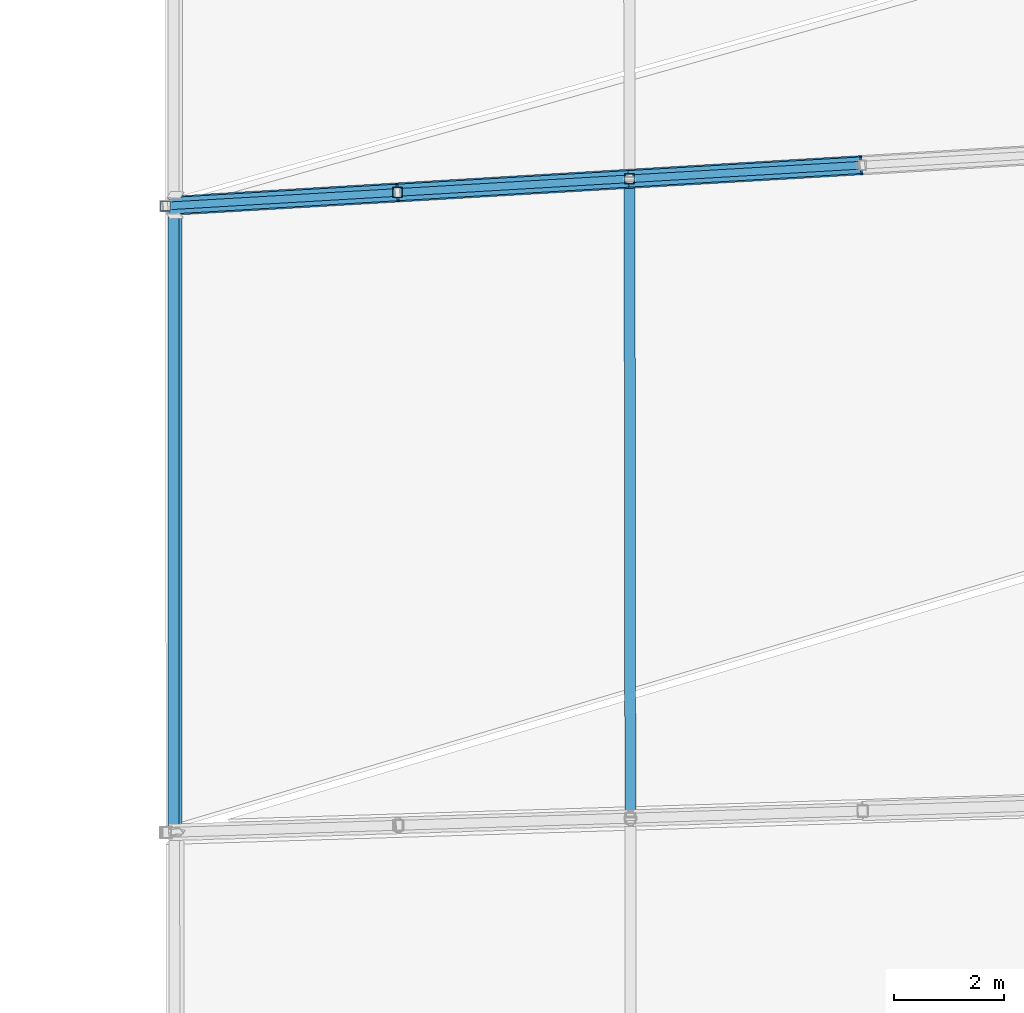
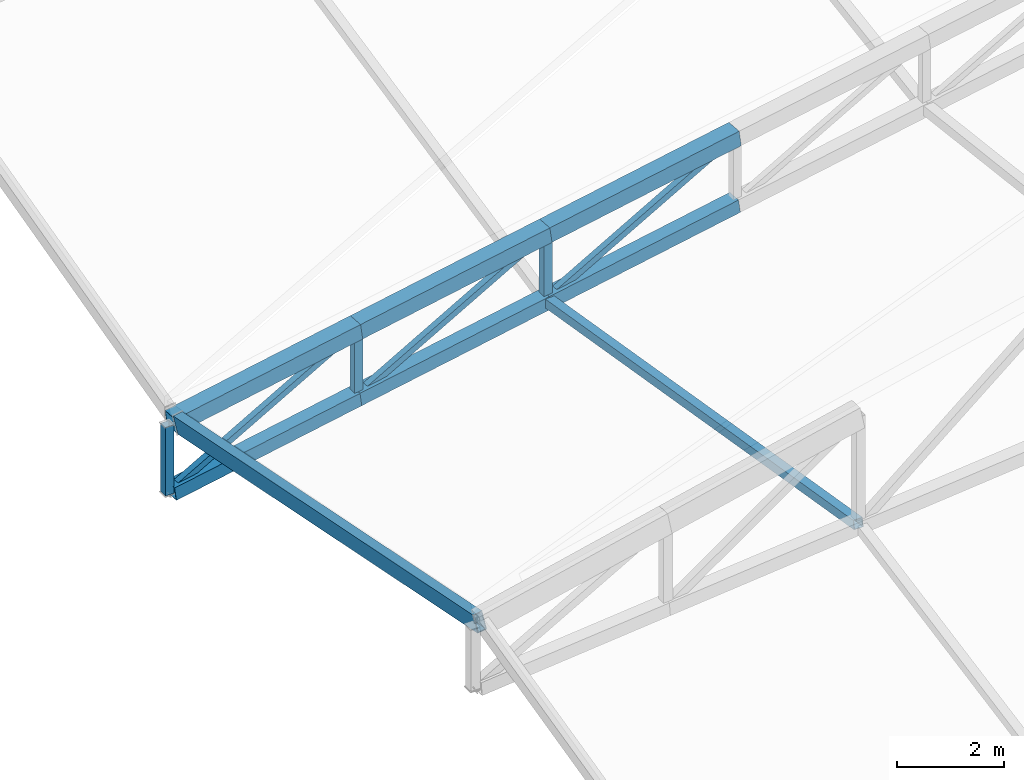
# One storey, part 174 of 344: 13 members, 1 beam.
"""IFC4 building model written with IfcOpenShell, lengths in metres."""

from ifc_helpers import new_model, si_unit, direction, frame, origin, origin_2d, place, context, subcontext, project, spatial, hollow_rectangle, extrude, material, material_profile, profile_set, type_object, element, save


model = new_model("IFC4")

# Units and contexts
model_context = context("Model", 3, precision=1e-05, world=origin(), true_north=direction((0.0, 1.0)))
body_context = subcontext(model_context, "Body", "Model", "MODEL_VIEW")
ifc_project = project(units=[si_unit("LENGTHUNIT", "METRE"), si_unit("AREAUNIT", "SQUARE_METRE"), si_unit("VOLUMEUNIT", "CUBIC_METRE"), si_unit("PLANEANGLEUNIT", "RADIAN"), si_unit("MASSUNIT", "GRAM", prefix="KILO")], contexts=[model_context])

# Site, building, storey
site_placement = place(None, origin())
site = spatial("IfcSite", under=ifc_project, at=site_placement, CompositionType="ELEMENT")
building_placement = place(site_placement, origin())
building = spatial("IfcBuilding", under=site, at=building_placement, Name="Meseta Stadium", CompositionType="ELEMENT")
storey_placement = place(building_placement, frame((0.0, 0.0, 24.0)))
storey = spatial("IfcBuildingStorey", under=building, at=storey_placement, Name="L04", CompositionType="ELEMENT", Elevation=24.0)

# Beam
ifc_material_1 = material(Name="Steel S355", Category="steel")
ifc_material_profile_1 = material_profile(ifc_material_1, hollow_rectangle(XDim=0.199951171875, YDim=0.39990234375, WallThickness=0.01611328125, at=origin_2d()), Name="RHS 400x200x16")
ifc_profile_set_1 = profile_set([ifc_material_profile_1], Name="Steel S355")
beam_type = type_object("IfcBeamType", Name="RHS 400x200x16 tip ring beam", PredefinedType="BEAM", material=ifc_profile_set_1)
beam_placement = place(storey_placement, frame((47.167236328125, 17.10546875, 5.514404296875), z_axis=(-0.000493224413, 0.980487244418, -0.196582095481), x_axis=(-0.989677772155, -0.028650732341, -0.140417387949)))
element("IfcBeam", 1, at=beam_placement, inside=storey, type_object=beam_type, Name="TIP RING BEAM 07", PredefinedType="BEAM", context=body_context, shape_type="SweptSolid", body=[
    extrude(hollow_rectangle(XDim=0.199951171875, YDim=0.39990234375, WallThickness=0.01611328125, at=origin_2d()), origin(), (0.0, 0.0, 1.0), 11.384765625),
])

# Members
ifc_material_2 = material(Name="Steel S355", Category="steel")
ifc_material_profile_2 = material_profile(ifc_material_2, hollow_rectangle(XDim=0.139892578125, YDim=0.139892578125, WallThickness=0.0048828125, at=origin_2d()), Name="SHS 140x140x5")
ifc_profile_set_2 = profile_set([ifc_material_profile_2], Name="Steel S355")
member_type_1 = type_object("IfcMemberType", Name="SHS 140x140x5 diagonal", PredefinedType="BRACE", material=ifc_profile_set_2)
member_1_placement = place(storey_placement, frame((46.990966796875, 28.453369140625, 1.644287109375), z_axis=(0.891499988097, 0.052362198096, 0.449984412435), x_axis=(-0.05863388944, 0.998279553537, 0.0)))
element("IfcMember", 2, at=member_1_placement, inside=storey, type_object=member_type_1, Name="ROOF TRUSS RT-07 diagonal", PredefinedType="BRACE", context=body_context, shape_type="SweptSolid", body=[
    extrude(hollow_rectangle(XDim=0.139892578125, YDim=0.139892578125, WallThickness=0.0048828125, at=origin_2d()), origin(), (0.0, 0.0, 1.0), 4.727783203125),
])
member_2_placement = place(storey_placement, frame((51.205810546875, 28.700927734375, 2.217041015625), z_axis=(0.891508173621, 0.052411282724, 0.449962480448), x_axis=(-0.058688126957, 0.998276366421, 0.0)))
element("IfcMember", 3, at=member_2_placement, inside=storey, type_object=member_type_1, Name="ROOF TRUSS RT-07 diagonal", PredefinedType="BRACE", context=body_context, shape_type="SweptSolid", body=[
    extrude(hollow_rectangle(XDim=0.139892578125, YDim=0.139892578125, WallThickness=0.0048828125, at=origin_2d()), origin(), (0.0, 0.0, 1.0), 4.72802734375),
])
member_3_placement = place(storey_placement, frame((55.4208984375, 28.94873046875, 2.7900390625), z_axis=(0.891499988097, 0.052362198096, 0.449984412435), x_axis=(-0.05863388944, 0.998279553537, 0.0)))
element("IfcMember", 4, at=member_3_placement, inside=storey, type_object=member_type_1, Name="ROOF TRUSS RT-07 diagonal", PredefinedType="BRACE", context=body_context, shape_type="SweptSolid", body=[
    extrude(hollow_rectangle(XDim=0.139892578125, YDim=0.139892578125, WallThickness=0.0048828125, at=origin_2d()), origin(), (0.0, 0.0, 1.0), 4.727783203125),
])
ifc_material_3 = material(Name="Steel S355", Category="steel")
ifc_material_profile_3 = material_profile(ifc_material_3, hollow_rectangle(XDim=0.179931640625, YDim=0.179931640625, WallThickness=0.00634765625, at=origin_2d()), Name="SHS 180x180x6.3")
ifc_profile_set_3 = profile_set([ifc_material_profile_3], Name="Steel S355")
member_type_2 = type_object("IfcMemberType", Name="SHS 180x180x6.3 post", PredefinedType="POST", material=ifc_profile_set_3)
member_4_placement = place(storey_placement, frame((51.205810546875, 28.700927734375, 2.217041015625), z_axis=(0.0, 0.0, 1.0), x_axis=(1.0, 0.0, 0.0)))
element("IfcMember", 5, at=member_4_placement, inside=storey, type_object=member_type_2, Name="ROOF TRUSS RT-07 post", PredefinedType="POST", context=body_context, shape_type="SweptSolid", body=[
    extrude(hollow_rectangle(XDim=0.179931640625, YDim=0.179931640625, WallThickness=0.00634765625, at=origin_2d()), origin(), (0.0, 0.0, 1.0), 1.5546875),
])
member_5_placement = place(storey_placement, frame((55.4208984375, 28.94873046875, 2.7900390625), z_axis=(0.0, 0.0, 1.0), x_axis=(1.0, 0.0, 0.0)))
element("IfcMember", 6, at=member_5_placement, inside=storey, type_object=member_type_2, Name="ROOF TRUSS RT-07 post", PredefinedType="POST", context=body_context, shape_type="SweptSolid", body=[
    extrude(hollow_rectangle(XDim=0.179931640625, YDim=0.179931640625, WallThickness=0.00634765625, at=origin_2d()), origin(), (0.0, 0.0, 1.0), 1.554443359375),
])
ifc_material_4 = material(Name="Steel S355", Category="steel")
ifc_material_profile_4 = material_profile(ifc_material_4, hollow_rectangle(XDim=0.179931640625, YDim=0.179931640625, WallThickness=0.00634765625, at=origin_2d()), Name="SHS 180x180x6.3")
ifc_profile_set_4 = profile_set([ifc_material_profile_4], Name="Steel S355")
member_type_3 = type_object("IfcMemberType", Name="SHS 180x180x6.3 rim post", PredefinedType="POST", material=ifc_profile_set_4)
member_6_placement = place(storey_placement, frame((46.990966796875, 28.453369140625, 1.644287109375), z_axis=(0.0, 0.0, 1.0), x_axis=(1.0, 0.0, 0.0)))
element("IfcMember", 7, at=member_6_placement, inside=storey, type_object=member_type_3, Name="ROOF TRUSS RT-07 post", PredefinedType="POST", context=body_context, shape_type="SweptSolid", body=[
    extrude(hollow_rectangle(XDim=0.179931640625, YDim=0.179931640625, WallThickness=0.00634765625, at=origin_2d()), origin(), (0.0, 0.0, 1.0), 1.5546875),
])
ifc_material_5 = material(Name="Steel S355", Category="steel")
ifc_material_profile_5 = material_profile(ifc_material_5, hollow_rectangle(XDim=0.199951171875, YDim=0.199951171875, WallThickness=0.008056640625, at=origin_2d()), Name="SHS 200x200x8")
ifc_profile_set_5 = profile_set([ifc_material_profile_5], Name="Steel S355")
member_type_4 = type_object("IfcMemberType", Name="SHS 200x200x8 strut", PredefinedType="STRUT", material=ifc_profile_set_5)
member_7_placement = place(storey_placement, frame((55.437255859375, 17.33251953125, 4.720947265625), z_axis=(-0.001389093179, 0.986463484568, -0.163975193347), x_axis=(-0.999999008552, -0.001408153291, 0.0)))
element("IfcMember", 8, at=member_7_placement, inside=storey, type_object=member_type_4, Name="ROOF TRUSS STRUT RT-06/07", PredefinedType="STRUT", context=body_context, shape_type="SweptSolid", body=[
    extrude(hollow_rectangle(XDim=0.199951171875, YDim=0.199951171875, WallThickness=0.008056640625, at=origin_2d()), origin(), (0.0, 0.0, 1.0), 11.775634765625),
])
ifc_material_6 = material(Name="Steel S355", Category="steel")
ifc_material_profile_6 = material_profile(ifc_material_6, hollow_rectangle(XDim=0.300048828125, YDim=0.300048828125, WallThickness=0.010009765625, at=origin_2d()), Name="SHS 300x300x10")
ifc_profile_set_6 = profile_set([ifc_material_profile_6], Name="Steel S355")
member_type_5 = type_object("IfcMemberType", Name="SHS 300x300x10 bottom chord", PredefinedType="CHORD", material=ifc_profile_set_6)
member_8_placement = place(storey_placement, frame((47.080078125, 28.458740234375, 1.656494140625), z_axis=(0.98922398709, 0.058069128066, 0.134401933508), x_axis=(-0.058600819185, 0.998281495366, 0.0)))
element("IfcMember", 9, at=member_8_placement, inside=storey, type_object=member_type_5, Name="ROOF TRUSS RT-07 bottom chord", PredefinedType="CHORD", context=body_context, shape_type="SweptSolid", body=[
    extrude(hollow_rectangle(XDim=0.300048828125, YDim=0.300048828125, WallThickness=0.010009765625, at=origin_2d()), origin(), (0.0, 0.0, 1.0), 4.170654296875),
])
member_9_placement = place(storey_placement, frame((51.205810546875, 28.700927734375, 2.217041015625), z_axis=(0.989209296458, 0.058155078824, 0.134472876848), x_axis=(-0.058688126957, 0.998276366421, 0.0)))
element("IfcMember", 10, at=member_9_placement, inside=storey, type_object=member_type_5, Name="ROOF TRUSS RT-07 bottom chord", PredefinedType="CHORD", context=body_context, shape_type="SweptSolid", body=[
    extrude(hollow_rectangle(XDim=0.300048828125, YDim=0.300048828125, WallThickness=0.010009765625, at=origin_2d()), origin(), (0.0, 0.0, 1.0), 4.260986328125),
])
member_10_placement = place(storey_placement, frame((55.4208984375, 28.94873046875, 2.7900390625), z_axis=(0.98921898231, 0.058101717334, 0.1344246833), x_axis=(-0.05863388944, 0.998279553537, 0.0)))
element("IfcMember", 11, at=member_10_placement, inside=storey, type_object=member_type_5, Name="ROOF TRUSS RT-07 bottom chord", PredefinedType="CHORD", context=body_context, shape_type="SweptSolid", body=[
    extrude(hollow_rectangle(XDim=0.300048828125, YDim=0.300048828125, WallThickness=0.010009765625, at=origin_2d()), origin(), (0.0, 0.0, 1.0), 4.2607421875),
])
ifc_material_7 = material(Name="Steel S355", Category="steel")
ifc_material_profile_7 = material_profile(ifc_material_7, hollow_rectangle(XDim=0.35009765625, YDim=0.35009765625, WallThickness=0.010009765625, at=origin_2d()), Name="SHS 350x350x10")
ifc_profile_set_7 = profile_set([ifc_material_profile_7], Name="Steel S355")
member_type_6 = type_object("IfcMemberType", Name="SHS 350x350x10 top chord", PredefinedType="CHORD", material=ifc_profile_set_7)
member_11_placement = place(storey_placement, frame((47.080078125, 28.458740234375, 3.2109375), z_axis=(0.989216202725, 0.058068671111, 0.134459412844), x_axis=(-0.058600819185, 0.998281495366, 0.0)))
element("IfcMember", 12, at=member_11_placement, inside=storey, type_object=member_type_6, Name="ROOF TRUSS RT-07 top chord", PredefinedType="CHORD", context=body_context, shape_type="SweptSolid", body=[
    extrude(hollow_rectangle(XDim=0.35009765625, YDim=0.35009765625, WallThickness=0.010009765625, at=origin_2d()), origin(), (0.0, 0.0, 1.0), 4.170654296875),
])
member_12_placement = place(storey_placement, frame((51.205810546875, 28.700927734375, 3.771728515625), z_axis=(0.989216916493, 0.058155526802, 0.134416616629), x_axis=(-0.058688126957, 0.998276366421, 0.0)))
element("IfcMember", 13, at=member_12_placement, inside=storey, type_object=member_type_6, Name="ROOF TRUSS RT-07 top chord", PredefinedType="CHORD", context=body_context, shape_type="SweptSolid", body=[
    extrude(hollow_rectangle(XDim=0.35009765625, YDim=0.35009765625, WallThickness=0.010009765625, at=origin_2d()), origin(), (0.0, 0.0, 1.0), 4.260986328125),
])
member_13_placement = place(storey_placement, frame((55.4208984375, 28.94873046875, 4.344482421875), z_axis=(0.989211361344, 0.058101269718, 0.134480946772), x_axis=(-0.05863388944, 0.998279553537, 0.0)))
element("IfcMember", 14, at=member_13_placement, inside=storey, type_object=member_type_6, Name="ROOF TRUSS RT-07 top chord", PredefinedType="CHORD", context=body_context, shape_type="SweptSolid", body=[
    extrude(hollow_rectangle(XDim=0.35009765625, YDim=0.35009765625, WallThickness=0.010009765625, at=origin_2d()), origin(), (0.0, 0.0, 1.0), 4.2607421875),
])

save(model, "model.ifc")
